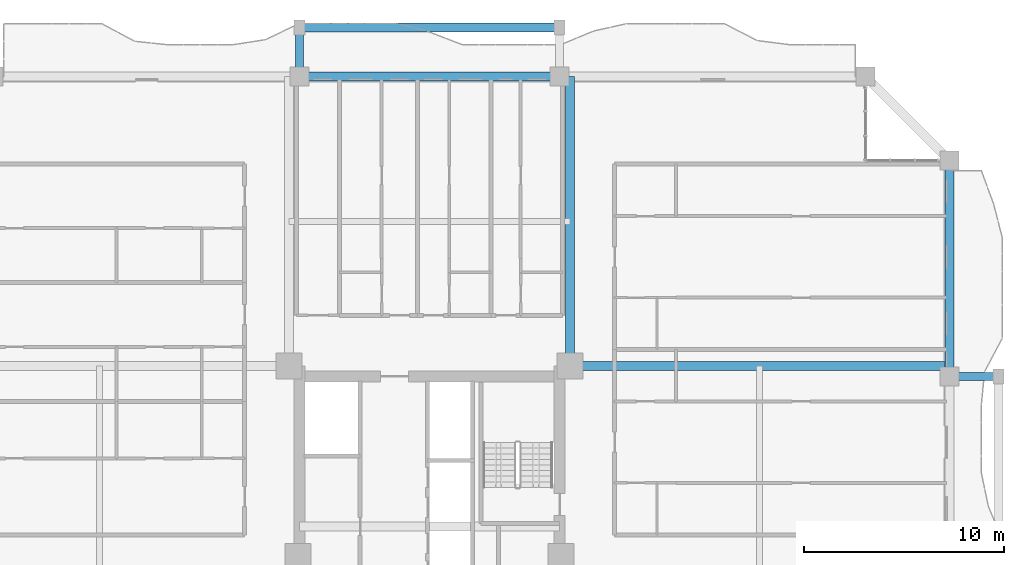
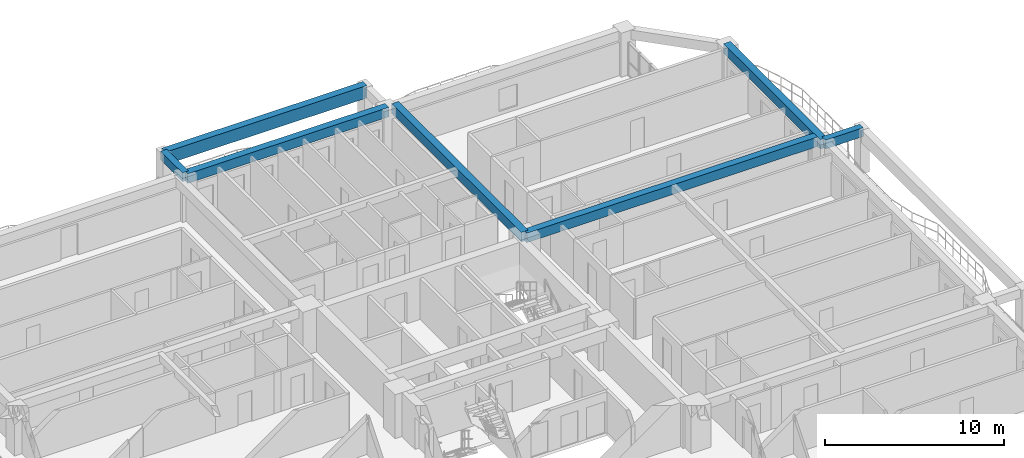
# One storey, part 9 of 26: 7 beams.
"""IFC4 building model written with IfcOpenShell, lengths in metres."""

from ifc_helpers import new_model, si_unit, direction, frame, origin, origin_2d, place, context, subcontext, project, spatial, rectangle, extrude, source, transform, mapped, material, material_profile, profile_set, type_object, element, save


model = new_model("IFC4")

# Units and contexts
model_context = context("Model", 3, precision=1e-05, world=origin(), true_north=direction((0.0, 1.0)))
body_context = subcontext(model_context, "Body", "Model", "MODEL_VIEW")
ifc_project = project(units=[si_unit("LENGTHUNIT", "METRE"), si_unit("AREAUNIT", "SQUARE_METRE"), si_unit("VOLUMEUNIT", "CUBIC_METRE"), si_unit("PLANEANGLEUNIT", "RADIAN"), si_unit("MASSUNIT", "GRAM", prefix="KILO")], contexts=[model_context])

# Site, building, storey
site_placement = place(None, origin())
site = spatial("IfcSite", under=ifc_project, at=site_placement, CompositionType="ELEMENT")
building_placement = place(site_placement, origin())
building = spatial("IfcBuilding", under=site, at=building_placement, Name="Saelheon Loggia Tower", CompositionType="ELEMENT")
storey_placement = place(building_placement, frame((0.0, 0.0, 116.85009765625)))
storey = spatial("IfcBuildingStorey", under=building, at=storey_placement, Name="L37", CompositionType="ELEMENT", Elevation=116.85009765625)

# Beams
ifc_material_1 = material(Name="Precast Concrete C45/55", Category="concrete")
ifc_material_profile_1 = material_profile(ifc_material_1, rectangle(XDim=0.449951171875, YDim=0.85009765625, at=origin_2d()), Name="RC-450x850")
ifc_profile_set_1 = profile_set([ifc_material_profile_1], Name="Precast Concrete C45/55")
beam_type_1 = type_object("IfcBeamType", Name="Beam_LoggiaSpandrel_RC450x850", PredefinedType="SPANDREL", material=ifc_profile_set_1)
shared_shape_1 = source(origin(), body_context, "Body", "SweptSolid", [
    extrude(rectangle(XDim=0.449951171875, YDim=0.85009765625, at=origin_2d()), origin(), (0.0, 0.0, 1.0), 13.0),
])
beam_1_placement = place(storey_placement, frame((31.5, 53.449951171875, 2.574951171875), z_axis=(1.0, 0.0, 0.0), x_axis=(0.0, 1.0, 0.0)))
element("IfcBeam", 1, at=beam_1_placement, inside=storey, type_object=beam_type_1, Name="L37 Loggia Spandrel Beam N", PredefinedType="SPANDREL", context=body_context, shape_type="MappedRepresentation", body=[
    mapped(shared_shape_1, transform((0.0, 0.0, 0.0), scale=1.0)),
])
ifc_material_profile_2 = material_profile(ifc_material_1, rectangle(XDim=0.39990234375, YDim=0.60009765625, at=origin_2d()), Name="RC-400x600")
ifc_profile_set_2 = profile_set([ifc_material_profile_2], Name="Precast Concrete C45/55")
beam_type_2 = type_object("IfcBeamType", Name="Beam_LoggiaTie_RC400x600", PredefinedType="BEAM", material=ifc_profile_set_2)
shared_shape_2 = source(origin(), body_context, "Body", "SweptSolid", [
    extrude(rectangle(XDim=0.39990234375, YDim=0.60009765625, at=origin_2d()), origin(), (0.0, 0.0, 1.0), 2.449951171875),
])
for number, where, z_axis, x_axis, name in (
    (2, (31.5, 51.0, 2.699951171875), (0.0, 1.0, 0.0), (-1.0, 0.0, 0.0), "L37 Loggia Frame Tie Beam LP-N1"),
    (3, (64.0, 36.0, 2.699951171875), (1.0, 0.0, 0.0), (0.0, 1.0, 0.0), "L37 Loggia Frame Tie Beam LP-E2"),
):
    element("IfcBeam", number, at=place(storey_placement, frame(where, z_axis=z_axis, x_axis=x_axis)), inside=storey, type_object=beam_type_2, Name=name, PredefinedType="BEAM", context=body_context, shape_type="MappedRepresentation", body=[
        mapped(shared_shape_2, transform((0.0, 0.0, 0.0), scale=1.0)),
    ])
ifc_material_2 = material(Name="Concrete C40/50", Category="concrete")
ifc_material_profile_3 = material_profile(ifc_material_2, rectangle(XDim=0.449951171875, YDim=0.64990234375, at=origin_2d()), Name="RC-450x650")
ifc_profile_set_3 = profile_set([ifc_material_profile_3], Name="Concrete C40/50")
beam_type_3 = type_object("IfcBeamType", Name="Beam_PerimTower_RC450x650", PredefinedType="BEAM", material=ifc_profile_set_3)
shared_shape_3 = source(origin(), body_context, "Body", "SweptSolid", [
    extrude(rectangle(XDim=0.449951171875, YDim=0.64990234375, at=origin_2d()), origin(), (0.0, 0.0, 1.0), 13.0),
])
beam_2_placement = place(storey_placement, frame((44.5, 51.0, 2.6748046875), z_axis=(-1.0, 0.0, 0.0), x_axis=(0.0, -1.0, 0.0)))
element("IfcBeam", 4, at=beam_2_placement, inside=storey, type_object=beam_type_3, Name="L37 Perimeter Frame Girder 10", PredefinedType="BEAM", context=body_context, shape_type="MappedRepresentation", body=[
    mapped(shared_shape_3, transform((0.0, 0.0, 0.0), scale=1.0)),
])
shared_shape_4 = source(origin(), body_context, "Body", "SweptSolid", [
    extrude(rectangle(XDim=0.449951171875, YDim=0.64990234375, at=origin_2d()), origin(), (0.0, 0.0, 1.0), 10.800048828125),
])
beam_3_placement = place(storey_placement, frame((64.0, 36.0, 2.6748046875), z_axis=(0.0, 1.0, 0.0), x_axis=(-1.0, 0.0, 0.0)))
element("IfcBeam", 5, at=beam_3_placement, inside=storey, type_object=beam_type_3, Name="L37 Perimeter Frame Girder 07", PredefinedType="BEAM", context=body_context, shape_type="MappedRepresentation", body=[
    mapped(shared_shape_4, transform((0.0, 0.0, 0.0), scale=1.0)),
])
ifc_material_profile_4 = material_profile(ifc_material_2, rectangle(XDim=0.449951171875, YDim=0.64990234375, at=origin_2d()), Name="RC-450x650")
ifc_profile_set_4 = profile_set([ifc_material_profile_4], Name="Concrete C40/50")
beam_type_4 = type_object("IfcBeamType", Name="Beam_TowerGirder_RC450x650", PredefinedType="BEAM", material=ifc_profile_set_4)
shared_shape_5 = source(origin(), body_context, "Body", "SweptSolid", [
    extrude(rectangle(XDim=0.449951171875, YDim=0.64990234375, at=origin_2d()), origin(), (0.0, 0.0, 1.0), 14.47998046875),
])
beam_4_placement = place(storey_placement, frame((45.02001953125, 36.52001953125, 2.6748046875), z_axis=(0.0, 1.0, 0.0), x_axis=(-1.0, 0.0, 0.0)))
element("IfcBeam", 6, at=beam_4_placement, inside=storey, type_object=beam_type_4, Name="L37 Radial Floor Girder RAD-NE-N", PredefinedType="BEAM", context=body_context, shape_type="MappedRepresentation", body=[
    mapped(shared_shape_5, transform((0.0, 0.0, 0.0), scale=1.0)),
])
shared_shape_6 = source(origin(), body_context, "Body", "SweptSolid", [
    extrude(rectangle(XDim=0.449951171875, YDim=0.64990234375, at=origin_2d()), origin(), (0.0, 0.0, 1.0), 18.97998046875),
])
beam_5_placement = place(storey_placement, frame((45.02001953125, 36.52001953125, 2.6748046875), z_axis=(1.0, 0.0, 0.0), x_axis=(0.0, 1.0, 0.0)))
element("IfcBeam", 7, at=beam_5_placement, inside=storey, type_object=beam_type_4, Name="L37 Radial Floor Girder RAD-NE-E", PredefinedType="BEAM", context=body_context, shape_type="MappedRepresentation", body=[
    mapped(shared_shape_6, transform((0.0, 0.0, 0.0), scale=1.0)),
])

save(model, "model.ifc")
